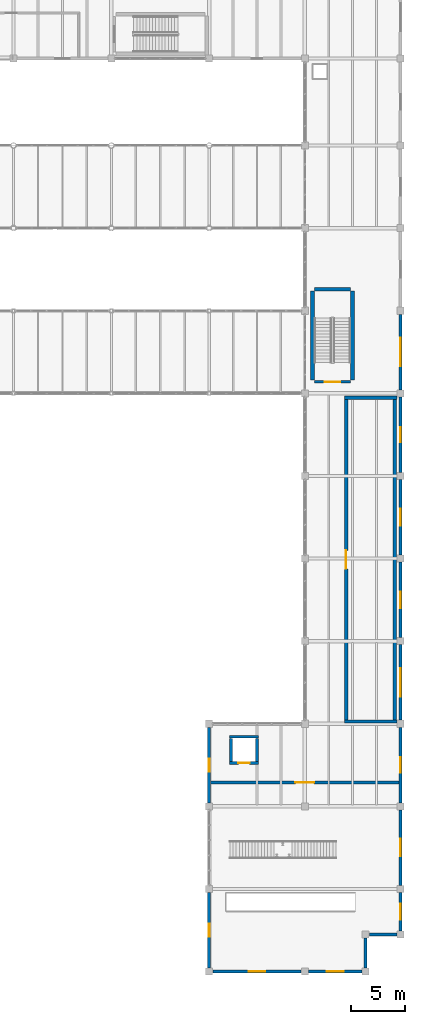
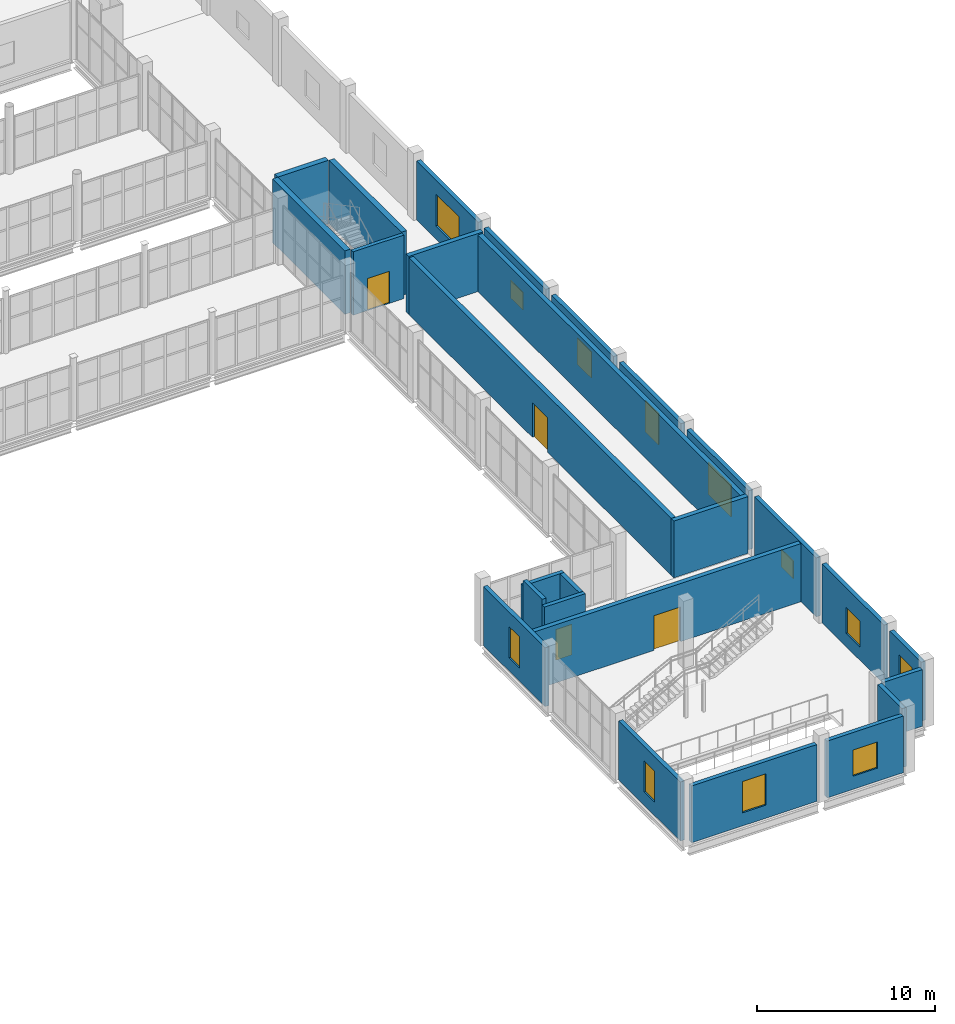
# One storey, part 156 of 172: 27 walls, 12 windows, 4 doors, 16 openings.
"""IFC4 building model written with IfcOpenShell, lengths in metres."""

from ifc_helpers import new_model, si_unit, direction, frame, frame_2d, origin, place, context, subcontext, project, spatial, rectangle, extrude, material, layer, layer_set, type_object, element, fill, save


model = new_model("IFC4")

# Units and contexts
model_context = context("Model", 3, precision=1e-05, world=origin(), true_north=direction((0.0, 1.0)))
body_context = subcontext(model_context, "Body", "Model", "MODEL_VIEW")
ifc_project = project(units=[si_unit("LENGTHUNIT", "METRE"), si_unit("AREAUNIT", "SQUARE_METRE"), si_unit("VOLUMEUNIT", "CUBIC_METRE"), si_unit("PLANEANGLEUNIT", "RADIAN"), si_unit("MASSUNIT", "GRAM", prefix="KILO")], contexts=[model_context])

# Site, building, storey
site_placement = place(None, origin())
site = spatial("IfcSite", under=ifc_project, at=site_placement, CompositionType="ELEMENT")
building_placement = place(site_placement, origin())
building = spatial("IfcBuilding", under=site, at=building_placement, Name="Shengluoqiao Park Theatre", CompositionType="ELEMENT")
storey_placement = place(building_placement, frame((0.0, 0.0, 5.39990234375)))
storey = spatial("IfcBuildingStorey", under=building, at=storey_placement, Name="L01", CompositionType="ELEMENT", Elevation=5.39990234375)

# Wall, opening, window
ifc_material_1 = material(Name="Concrete C40", Category="concrete")
ifc_layer_1 = layer(ifc_material_1, 0.27001953125, Name="Concrete C40")
ifc_layer_set_1 = layer_set([ifc_layer_1], Name="Concrete C40")
wall_type_1 = type_object("IfcWallType", Name="ENV-WL-CONC270", PredefinedType="STANDARD", material=ifc_layer_set_1)
wall_1_placement = place(storey_placement, frame((166.0, 3.72900390625, 0.0), z_axis=(0.0, 0.0, 1.0), x_axis=(0.0, 1.0, 0.0)))
wall_1 = element("IfcWall", 1, at=wall_1_placement, inside=storey, type_object=wall_type_1, Name="L01 Exterior Wall 0196", PredefinedType="STANDARD", context=body_context, shape_type="SweptSolid", body=[
    extrude(rectangle(XDim=3.5419921875, YDim=0.27001953125, at=frame_2d((1.77099609375, 0.0))), origin(), (0.0, 0.0, 1.0), 4.044189453125),
])
opening_1_placement = place(wall_1_placement, frame((1.02099609375, 0.0, 0.89990234375)))
opening_1 = element("IfcOpeningElement", 2, at=opening_1_placement, cuts=wall_1, Name="Opening W-03", PredefinedType="OPENING", context=body_context, shape_type="SweptSolid", body=[
    extrude(rectangle(XDim=1.5, YDim=2.14990234375, at=frame_2d((0.75, 1.074951171875))), frame((0.0, 0.14501953125, 0.0), z_axis=(0.0, -1.0, 0.0), x_axis=(1.0, 0.0, 0.0)), (0.0, 0.0, 1.0), 0.2900390625),
])
ifc_material_2 = material(Name="Insulated glass", Category="glass")
window_type_1 = type_object("IfcWindowType", Name="ENV-WIN-W03", PartitioningType="DOUBLE_PANEL_VERTICAL", PredefinedType="WINDOW", material=ifc_material_2)
window_1_placement = place(opening_1_placement, origin())
window_1 = element("IfcWindow", 3, at=window_1_placement, inside=storey, type_object=window_type_1, Name="L01 Acoustic Window 0042", OverallHeight=2.14990234375, OverallWidth=1.5, PartitioningType="DOUBLE_PANEL_VERTICAL", PredefinedType="WINDOW", context=body_context, shape_type="SweptSolid", body=[
    extrude(rectangle(XDim=1.5, YDim=2.14990234375, at=frame_2d((0.75, 1.074951171875))), frame((0.0, 0.030029296875, 0.0), z_axis=(0.0, -1.0, 0.0), x_axis=(1.0, 0.0, 0.0)), (0.0, 0.0, 1.0), 0.06005859375),
])
fill(opening_1, window_1)

wall_2_placement = place(storey_placement, frame((166.0, 7.928955078125, 0.0), z_axis=(0.0, 0.0, 1.0), x_axis=(0.0, 1.0, 0.0)))
wall_2 = element("IfcWall", 4, at=wall_2_placement, inside=storey, type_object=wall_type_1, Name="L01 Exterior Wall 0197", PredefinedType="STANDARD", context=body_context, shape_type="SweptSolid", body=[
    extrude(rectangle(XDim=6.942138671875, YDim=0.27001953125, at=frame_2d((3.47119140625, 0.0))), origin(), (0.0, 0.0, 1.0), 4.044189453125),
])
opening_2_placement = place(wall_2_placement, frame((2.6708984375, 0.0, 0.89990234375)))
opening_2 = element("IfcOpeningElement", 5, at=opening_2_placement, cuts=wall_2, Name="Opening W-06", PredefinedType="OPENING", context=body_context, shape_type="SweptSolid", body=[
    extrude(rectangle(XDim=1.60009765625, YDim=1.800048828125, at=frame_2d((0.800048828125, 0.89990234375))), frame((0.0, 0.14501953125, 0.0), z_axis=(0.0, -1.0, 0.0), x_axis=(1.0, 0.0, 0.0)), (0.0, 0.0, 1.0), 0.2900390625),
])
window_type_2 = type_object("IfcWindowType", Name="ENV-WIN-W06", PartitioningType="DOUBLE_PANEL_VERTICAL", PredefinedType="WINDOW", material=ifc_material_2)
window_2_placement = place(opening_2_placement, origin())
window_2 = element("IfcWindow", 6, at=window_2_placement, inside=storey, type_object=window_type_2, Name="L01 Acoustic Window 0043", OverallHeight=1.800048828125, OverallWidth=1.60009765625, PartitioningType="DOUBLE_PANEL_VERTICAL", PredefinedType="WINDOW", context=body_context, shape_type="SweptSolid", body=[
    extrude(rectangle(XDim=1.60009765625, YDim=1.800048828125, at=frame_2d((0.800048828125, 0.89990234375))), frame((0.0, 0.030029296875, 0.0), z_axis=(0.0, -1.0, 0.0), x_axis=(1.0, 0.0, 0.0)), (0.0, 0.0, 1.0), 0.06005859375),
])
fill(opening_2, window_2)

wall_3_placement = place(storey_placement, frame((166.0, 15.529052734375, 0.0), z_axis=(0.0, 0.0, 1.0), x_axis=(0.0, 1.0, 0.0)))
wall_3 = element("IfcWall", 7, at=wall_3_placement, inside=storey, type_object=wall_type_1, Name="L01 Exterior Wall 0198", PredefinedType="STANDARD", context=body_context, shape_type="SweptSolid", body=[
    extrude(rectangle(XDim=6.94189453125, YDim=0.27001953125, at=frame_2d((3.470947265625, 0.0))), origin(), (0.0, 0.0, 1.0), 4.044189453125),
])
opening_3_placement = place(wall_3_placement, frame((2.77099609375, 0.0, 0.89990234375)))
opening_3 = element("IfcOpeningElement", 8, at=opening_3_placement, cuts=wall_3, Name="Opening W-12", PredefinedType="OPENING", context=body_context, shape_type="SweptSolid", body=[
    extrude(rectangle(XDim=1.39990234375, YDim=1.199951171875, at=frame_2d((0.699951171875, 0.60009765625))), frame((0.0, 0.14501953125, 0.0), z_axis=(0.0, -1.0, 0.0), x_axis=(1.0, 0.0, 0.0)), (0.0, 0.0, 1.0), 0.2900390625),
])
window_type_3 = type_object("IfcWindowType", Name="ENV-WIN-W12", PartitioningType="SINGLE_PANEL", PredefinedType="WINDOW", material=ifc_material_2)
window_3_placement = place(opening_3_placement, origin())
window_3 = element("IfcWindow", 9, at=window_3_placement, inside=storey, type_object=window_type_3, Name="L01 Acoustic Window 0044", OverallHeight=1.199951171875, OverallWidth=1.39990234375, PartitioningType="SINGLE_PANEL", PredefinedType="WINDOW", context=body_context, shape_type="SweptSolid", body=[
    extrude(rectangle(XDim=1.39990234375, YDim=1.199951171875, at=frame_2d((0.699951171875, 0.60009765625))), frame((0.0, 0.030029296875, 0.0), z_axis=(0.0, -1.0, 0.0), x_axis=(1.0, 0.0, 0.0)), (0.0, 0.0, 1.0), 0.06005859375),
])
fill(opening_3, window_3)

wall_4_placement = place(storey_placement, frame((166.0, 23.12890625, 0.0), z_axis=(0.0, 0.0, 1.0), x_axis=(0.0, 1.0, 0.0)))
wall_4 = element("IfcWall", 10, at=wall_4_placement, inside=storey, type_object=wall_type_1, Name="L01 Exterior Wall 0199", PredefinedType="STANDARD", context=body_context, shape_type="SweptSolid", body=[
    extrude(rectangle(XDim=6.942138671875, YDim=0.27001953125, at=frame_2d((3.47119140625, 0.0))), origin(), (0.0, 0.0, 1.0), 4.044189453125),
])
opening_4_placement = place(wall_4_placement, frame((2.1708984375, 0.0, 0.89990234375)))
opening_4 = element("IfcOpeningElement", 11, at=opening_4_placement, cuts=wall_4, Name="Opening W-14", PredefinedType="OPENING", context=body_context, shape_type="SweptSolid", body=[
    extrude(rectangle(XDim=2.60009765625, YDim=2.199951171875, at=frame_2d((1.300048828125, 1.10009765625))), frame((0.0, 0.14501953125, 0.0), z_axis=(0.0, -1.0, 0.0), x_axis=(1.0, 0.0, 0.0)), (0.0, 0.0, 1.0), 0.2900390625),
])
window_type_4 = type_object("IfcWindowType", Name="ENV-WIN-W14", PartitioningType="DOUBLE_PANEL_VERTICAL", PredefinedType="WINDOW", material=ifc_material_2)
window_4_placement = place(opening_4_placement, origin())
window_4 = element("IfcWindow", 12, at=window_4_placement, inside=storey, type_object=window_type_4, Name="L01 Acoustic Window 0045", OverallHeight=2.199951171875, OverallWidth=2.60009765625, PartitioningType="DOUBLE_PANEL_VERTICAL", PredefinedType="WINDOW", context=body_context, shape_type="SweptSolid", body=[
    extrude(rectangle(XDim=2.60009765625, YDim=2.199951171875, at=frame_2d((1.300048828125, 1.10009765625))), frame((0.0, 0.030029296875, 0.0), z_axis=(0.0, -1.0, 0.0), x_axis=(1.0, 0.0, 0.0)), (0.0, 0.0, 1.0), 0.06005859375),
])
fill(opening_4, window_4)

wall_5_placement = place(storey_placement, frame((166.0, 30.72900390625, 0.0), z_axis=(0.0, 0.0, 1.0), x_axis=(0.0, 1.0, 0.0)))
wall_5 = element("IfcWall", 13, at=wall_5_placement, inside=storey, type_object=wall_type_1, Name="L01 Exterior Wall 0200", PredefinedType="STANDARD", context=body_context, shape_type="SweptSolid", body=[
    extrude(rectangle(XDim=6.94189453125, YDim=0.27001953125, at=frame_2d((3.470947265625, 0.0))), origin(), (0.0, 0.0, 1.0), 4.044189453125),
])
opening_5_placement = place(wall_5_placement, frame((2.720947265625, 0.0, 0.89990234375)))
opening_5 = element("IfcOpeningElement", 14, at=opening_5_placement, cuts=wall_5, Name="Opening W-03", PredefinedType="OPENING", context=body_context, shape_type="SweptSolid", body=[
    extrude(rectangle(XDim=1.5, YDim=2.14990234375, at=frame_2d((0.75, 1.074951171875))), frame((0.0, 0.14501953125, 0.0), z_axis=(0.0, -1.0, 0.0), x_axis=(1.0, 0.0, 0.0)), (0.0, 0.0, 1.0), 0.2900390625),
])
window_5_placement = place(opening_5_placement, origin())
window_5 = element("IfcWindow", 15, at=window_5_placement, inside=storey, type_object=window_type_1, Name="L01 Acoustic Window 0046", OverallHeight=2.14990234375, OverallWidth=1.5, PartitioningType="DOUBLE_PANEL_VERTICAL", PredefinedType="WINDOW", context=body_context, shape_type="SweptSolid", body=[
    extrude(rectangle(XDim=1.5, YDim=2.14990234375, at=frame_2d((0.75, 1.074951171875))), frame((0.0, 0.030029296875, 0.0), z_axis=(0.0, -1.0, 0.0), x_axis=(1.0, 0.0, 0.0)), (0.0, 0.0, 1.0), 0.06005859375),
])
fill(opening_5, window_5)

wall_6_placement = place(storey_placement, frame((166.0, 38.3291015625, 0.0), z_axis=(0.0, 0.0, 1.0), x_axis=(0.0, 1.0, 0.0)))
wall_6 = element("IfcWall", 16, at=wall_6_placement, inside=storey, type_object=wall_type_1, Name="L01 Exterior Wall 0201", PredefinedType="STANDARD", context=body_context, shape_type="SweptSolid", body=[
    extrude(rectangle(XDim=6.94189453125, YDim=0.27001953125, at=frame_2d((3.470947265625, 0.0))), origin(), (0.0, 0.0, 1.0), 4.044189453125),
])
opening_6_placement = place(wall_6_placement, frame((2.6708984375, 0.0, 0.89990234375)))
opening_6 = element("IfcOpeningElement", 17, at=opening_6_placement, cuts=wall_6, Name="Opening W-06", PredefinedType="OPENING", context=body_context, shape_type="SweptSolid", body=[
    extrude(rectangle(XDim=1.60009765625, YDim=1.800048828125, at=frame_2d((0.800048828125, 0.89990234375))), frame((0.0, 0.14501953125, 0.0), z_axis=(0.0, -1.0, 0.0), x_axis=(1.0, 0.0, 0.0)), (0.0, 0.0, 1.0), 0.2900390625),
])
window_6_placement = place(opening_6_placement, origin())
window_6 = element("IfcWindow", 18, at=window_6_placement, inside=storey, type_object=window_type_2, Name="L01 Acoustic Window 0047", OverallHeight=1.800048828125, OverallWidth=1.60009765625, PartitioningType="DOUBLE_PANEL_VERTICAL", PredefinedType="WINDOW", context=body_context, shape_type="SweptSolid", body=[
    extrude(rectangle(XDim=1.60009765625, YDim=1.800048828125, at=frame_2d((0.800048828125, 0.89990234375))), frame((0.0, 0.030029296875, 0.0), z_axis=(0.0, -1.0, 0.0), x_axis=(1.0, 0.0, 0.0)), (0.0, 0.0, 1.0), 0.06005859375),
])
fill(opening_6, window_6)

wall_7_placement = place(storey_placement, frame((166.0, 45.928955078125, 0.0), z_axis=(0.0, 0.0, 1.0), x_axis=(0.0, 1.0, 0.0)))
wall_7 = element("IfcWall", 19, at=wall_7_placement, inside=storey, type_object=wall_type_1, Name="L01 Exterior Wall 0202", PredefinedType="STANDARD", context=body_context, shape_type="SweptSolid", body=[
    extrude(rectangle(XDim=6.942138671875, YDim=0.27001953125, at=frame_2d((3.47119140625, 0.0))), origin(), (0.0, 0.0, 1.0), 4.044189453125),
])
opening_7_placement = place(wall_7_placement, frame((2.77099609375, 0.0, 0.89990234375)))
opening_7 = element("IfcOpeningElement", 20, at=opening_7_placement, cuts=wall_7, Name="Opening W-12", PredefinedType="OPENING", context=body_context, shape_type="SweptSolid", body=[
    extrude(rectangle(XDim=1.39990234375, YDim=1.199951171875, at=frame_2d((0.699951171875, 0.60009765625))), frame((0.0, 0.14501953125, 0.0), z_axis=(0.0, -1.0, 0.0), x_axis=(1.0, 0.0, 0.0)), (0.0, 0.0, 1.0), 0.2900390625),
])
window_7_placement = place(opening_7_placement, origin())
window_7 = element("IfcWindow", 21, at=window_7_placement, inside=storey, type_object=window_type_3, Name="L01 Acoustic Window 0048", OverallHeight=1.199951171875, OverallWidth=1.39990234375, PartitioningType="SINGLE_PANEL", PredefinedType="WINDOW", context=body_context, shape_type="SweptSolid", body=[
    extrude(rectangle(XDim=1.39990234375, YDim=1.199951171875, at=frame_2d((0.699951171875, 0.60009765625))), frame((0.0, 0.030029296875, 0.0), z_axis=(0.0, -1.0, 0.0), x_axis=(1.0, 0.0, 0.0)), (0.0, 0.0, 1.0), 0.06005859375),
])
fill(opening_7, window_7)

wall_8_placement = place(storey_placement, frame((166.0, 53.529052734375, 0.0), z_axis=(0.0, 0.0, 1.0), x_axis=(0.0, 1.0, 0.0)))
wall_8 = element("IfcWall", 22, at=wall_8_placement, inside=storey, type_object=wall_type_1, Name="L01 Exterior Wall 0203", PredefinedType="STANDARD", context=body_context, shape_type="SweptSolid", body=[
    extrude(rectangle(XDim=6.94189453125, YDim=0.27001953125, at=frame_2d((3.470947265625, 0.0))), origin(), (0.0, 0.0, 1.0), 4.044189453125),
])
opening_8_placement = place(wall_8_placement, frame((2.1708984375, 0.0, 0.89990234375)))
opening_8 = element("IfcOpeningElement", 23, at=opening_8_placement, cuts=wall_8, Name="Opening W-14", PredefinedType="OPENING", context=body_context, shape_type="SweptSolid", body=[
    extrude(rectangle(XDim=2.60009765625, YDim=2.199951171875, at=frame_2d((1.300048828125, 1.10009765625))), frame((0.0, 0.14501953125, 0.0), z_axis=(0.0, -1.0, 0.0), x_axis=(1.0, 0.0, 0.0)), (0.0, 0.0, 1.0), 0.2900390625),
])
window_8_placement = place(opening_8_placement, origin())
window_8 = element("IfcWindow", 24, at=window_8_placement, inside=storey, type_object=window_type_4, Name="L01 Acoustic Window 0049", OverallHeight=2.199951171875, OverallWidth=2.60009765625, PartitioningType="DOUBLE_PANEL_VERTICAL", PredefinedType="WINDOW", context=body_context, shape_type="SweptSolid", body=[
    extrude(rectangle(XDim=2.60009765625, YDim=2.199951171875, at=frame_2d((1.300048828125, 1.10009765625))), frame((0.0, 0.030029296875, 0.0), z_axis=(0.0, -1.0, 0.0), x_axis=(1.0, 0.0, 0.0)), (0.0, 0.0, 1.0), 0.06005859375),
])
fill(opening_8, window_8)

wall_9_placement = place(storey_placement, frame((148.72900390625, 0.0, 0.0), z_axis=(0.0, 0.0, 1.0), x_axis=(1.0, 0.0, 0.0)))
wall_9 = element("IfcWall", 25, at=wall_9_placement, inside=storey, type_object=wall_type_1, Name="L01 Exterior Wall 0281", PredefinedType="STANDARD", context=body_context, shape_type="SweptSolid", body=[
    extrude(rectangle(XDim=8.14208984375, YDim=0.27001953125, at=frame_2d((4.071044921875, 0.0))), origin(), (0.0, 0.0, 1.0), 3.898193359375),
])
opening_9_placement = place(wall_9_placement, frame((3.321044921875, 0.0, 0.89990234375)))
opening_9 = element("IfcOpeningElement", 26, at=opening_9_placement, cuts=wall_9, Name="Opening W-03", PredefinedType="OPENING", context=body_context, shape_type="SweptSolid", body=[
    extrude(rectangle(XDim=1.5, YDim=2.14990234375, at=frame_2d((0.75, 1.074951171875))), frame((0.0, 0.14501953125, 0.0), z_axis=(0.0, -1.0, 0.0), x_axis=(1.0, 0.0, 0.0)), (0.0, 0.0, 1.0), 0.2900390625),
])
window_9_placement = place(opening_9_placement, origin())
window_9 = element("IfcWindow", 27, at=window_9_placement, inside=storey, type_object=window_type_1, Name="L01 Acoustic Window 0117", OverallHeight=2.14990234375, OverallWidth=1.5, PartitioningType="DOUBLE_PANEL_VERTICAL", PredefinedType="WINDOW", context=body_context, shape_type="SweptSolid", body=[
    extrude(rectangle(XDim=1.5, YDim=2.14990234375, at=frame_2d((0.75, 1.074951171875))), frame((0.0, 0.030029296875, 0.0), z_axis=(0.0, -1.0, 0.0), x_axis=(1.0, 0.0, 0.0)), (0.0, 0.0, 1.0), 0.06005859375),
])
fill(opening_9, window_9)

wall_10_placement = place(storey_placement, frame((157.529052734375, 0.0, 0.0), z_axis=(0.0, 0.0, 1.0), x_axis=(1.0, 0.0, 0.0)))
wall_10 = element("IfcWall", 28, at=wall_10_placement, inside=storey, type_object=wall_type_1, Name="L01 Exterior Wall 0282", PredefinedType="STANDARD", context=body_context, shape_type="SweptSolid", body=[
    extrude(rectangle(XDim=4.94189453125, YDim=0.27001953125, at=frame_2d((2.470947265625, 0.0))), origin(), (0.0, 0.0, 1.0), 3.898193359375),
])
opening_10_placement = place(wall_10_placement, frame((1.6708984375, 0.0, 0.89990234375)))
opening_10 = element("IfcOpeningElement", 29, at=opening_10_placement, cuts=wall_10, Name="Opening W-06", PredefinedType="OPENING", context=body_context, shape_type="SweptSolid", body=[
    extrude(rectangle(XDim=1.60009765625, YDim=1.800048828125, at=frame_2d((0.800048828125, 0.89990234375))), frame((0.0, 0.14501953125, 0.0), z_axis=(0.0, -1.0, 0.0), x_axis=(1.0, 0.0, 0.0)), (0.0, 0.0, 1.0), 0.2900390625),
])
window_10_placement = place(opening_10_placement, origin())
window_10 = element("IfcWindow", 30, at=window_10_placement, inside=storey, type_object=window_type_2, Name="L01 Acoustic Window 0118", OverallHeight=1.800048828125, OverallWidth=1.60009765625, PartitioningType="DOUBLE_PANEL_VERTICAL", PredefinedType="WINDOW", context=body_context, shape_type="SweptSolid", body=[
    extrude(rectangle(XDim=1.60009765625, YDim=1.800048828125, at=frame_2d((0.800048828125, 0.89990234375))), frame((0.0, 0.030029296875, 0.0), z_axis=(0.0, -1.0, 0.0), x_axis=(1.0, 0.0, 0.0)), (0.0, 0.0, 1.0), 0.06005859375),
])
fill(opening_10, window_10)

# Walls
wall_11_placement = place(storey_placement, frame((162.800048828125, 0.3291015625, 0.0), z_axis=(0.0, 0.0, 1.0), x_axis=(0.0, 1.0, 0.0)))
element("IfcWall", 31, at=wall_11_placement, inside=storey, type_object=wall_type_1, Name="L01 Exterior Wall 0283", PredefinedType="STANDARD", context=body_context, shape_type="SweptSolid", body=[
    extrude(rectangle(XDim=2.741943359375, YDim=0.27001953125, at=frame_2d((1.37109375, 0.0))), origin(), (0.0, 0.0, 1.0), 4.044189453125),
])
wall_12_placement = place(storey_placement, frame((163.12890625, 3.39990234375, 0.0), z_axis=(0.0, 0.0, 1.0), x_axis=(1.0, 0.0, 0.0)))
element("IfcWall", 32, at=wall_12_placement, inside=storey, type_object=wall_type_1, Name="L01 Exterior Wall 0284", PredefinedType="STANDARD", context=body_context, shape_type="SweptSolid", body=[
    extrude(rectangle(XDim=2.5419921875, YDim=0.27001953125, at=frame_2d((1.27099609375, 0.0))), origin(), (0.0, 0.0, 1.0), 3.898193359375),
])

# Wall, opening, window
wall_13_placement = place(storey_placement, frame((148.39990234375, 0.3291015625, 0.0), z_axis=(0.0, 0.0, 1.0), x_axis=(0.0, 1.0, 0.0)))
wall_13 = element("IfcWall", 33, at=wall_13_placement, inside=storey, type_object=wall_type_1, Name="L01 Exterior Wall 0285", PredefinedType="STANDARD", context=body_context, shape_type="SweptSolid", body=[
    extrude(rectangle(XDim=6.94189453125, YDim=0.27001953125, at=frame_2d((3.470947265625, 0.0))), origin(), (0.0, 0.0, 1.0), 4.044189453125),
])
opening_11_placement = place(wall_13_placement, frame((2.87109375, 0.0, 0.89990234375)))
opening_11 = element("IfcOpeningElement", 34, at=opening_11_placement, cuts=wall_13, Name="Opening W-04", PredefinedType="OPENING", context=body_context, shape_type="SweptSolid", body=[
    extrude(rectangle(XDim=1.199951171875, YDim=2.14990234375, at=frame_2d((0.60009765625, 1.074951171875))), frame((0.0, 0.14501953125, 0.0), z_axis=(0.0, -1.0, 0.0), x_axis=(1.0, 0.0, 0.0)), (0.0, 0.0, 1.0), 0.2900390625),
])
window_type_5 = type_object("IfcWindowType", Name="ENV-WIN-W04", PartitioningType="SINGLE_PANEL", PredefinedType="WINDOW", material=ifc_material_2)
window_11_placement = place(opening_11_placement, origin())
window_11 = element("IfcWindow", 35, at=window_11_placement, inside=storey, type_object=window_type_5, Name="L01 Acoustic Window 0119", OverallHeight=2.14990234375, OverallWidth=1.199951171875, PartitioningType="SINGLE_PANEL", PredefinedType="WINDOW", context=body_context, shape_type="SweptSolid", body=[
    extrude(rectangle(XDim=1.199951171875, YDim=2.14990234375, at=frame_2d((0.60009765625, 1.074951171875))), frame((0.0, 0.030029296875, 0.0), z_axis=(0.0, -1.0, 0.0), x_axis=(1.0, 0.0, 0.0)), (0.0, 0.0, 1.0), 0.06005859375),
])
fill(opening_11, window_11)

wall_14_placement = place(storey_placement, frame((148.39990234375, 15.529052734375, 0.0), z_axis=(0.0, 0.0, 1.0), x_axis=(0.0, 1.0, 0.0)))
wall_14 = element("IfcWall", 36, at=wall_14_placement, inside=storey, type_object=wall_type_1, Name="L01 Exterior Wall 0286", PredefinedType="STANDARD", context=body_context, shape_type="SweptSolid", body=[
    extrude(rectangle(XDim=6.94189453125, YDim=0.27001953125, at=frame_2d((3.470947265625, 0.0))), origin(), (0.0, 0.0, 1.0), 4.044189453125),
])
opening_12_placement = place(wall_14_placement, frame((2.87109375, 0.0, 0.89990234375)))
opening_12 = element("IfcOpeningElement", 37, at=opening_12_placement, cuts=wall_14, Name="Opening W-04", PredefinedType="OPENING", context=body_context, shape_type="SweptSolid", body=[
    extrude(rectangle(XDim=1.199951171875, YDim=2.14990234375, at=frame_2d((0.60009765625, 1.074951171875))), frame((0.0, 0.14501953125, 0.0), z_axis=(0.0, -1.0, 0.0), x_axis=(1.0, 0.0, 0.0)), (0.0, 0.0, 1.0), 0.2900390625),
])
window_12_placement = place(opening_12_placement, origin())
window_12 = element("IfcWindow", 38, at=window_12_placement, inside=storey, type_object=window_type_5, Name="L01 Acoustic Window 0120", OverallHeight=2.14990234375, OverallWidth=1.199951171875, PartitioningType="SINGLE_PANEL", PredefinedType="WINDOW", context=body_context, shape_type="SweptSolid", body=[
    extrude(rectangle(XDim=1.199951171875, YDim=2.14990234375, at=frame_2d((0.60009765625, 1.074951171875))), frame((0.0, 0.030029296875, 0.0), z_axis=(0.0, -1.0, 0.0), x_axis=(1.0, 0.0, 0.0)), (0.0, 0.0, 1.0), 0.06005859375),
])
fill(opening_12, window_12)

# Wall, opening, door
ifc_material_3 = material(Name="Gypsum acoustic stud", Category="gypsum")
ifc_layer_2 = layer(ifc_material_3, 0.300048828125, Name="Gypsum acoustic stud")
ifc_layer_set_2 = layer_set([ifc_layer_2], Name="Gypsum acoustic stud")
wall_type_2 = type_object("IfcWallType", Name="INT-WL-ACO300", PredefinedType="PARTITIONING", material=ifc_layer_set_2)
wall_15_placement = place(storey_placement, frame((148.54296875, 17.39990234375, 0.0), z_axis=(0.0, 0.0, 1.0), x_axis=(1.0, 0.0, 0.0)))
wall_15 = element("IfcWall", 39, at=wall_15_placement, inside=storey, type_object=wall_type_2, Name="Chamber Music Warm-Up Suite Partition N", PredefinedType="PARTITIONING", context=body_context, shape_type="SweptSolid", body=[
    extrude(rectangle(XDim=17.31396484375, YDim=0.300048828125, at=frame_2d((8.656982421875, 0.0))), origin(), (0.0, 0.0, 1.0), 3.988037109375),
])
opening_13_placement = place(wall_15_placement, frame((7.797119140625, 0.0, 0.0)))
opening_13 = element("IfcOpeningElement", 40, at=opening_13_placement, cuts=wall_15, Name="Opening D-L01-052", PredefinedType="OPENING", context=body_context, shape_type="SweptSolid", body=[
    extrude(rectangle(XDim=1.719970703125, YDim=2.3798828125, at=frame_2d((0.85986328125, 1.18994140625))), frame((0.0, 0.159912109375, 0.0), z_axis=(0.0, -1.0, 0.0), x_axis=(1.0, 0.0, 0.0)), (0.0, 0.0, 1.0), 0.320068359375),
])
ifc_material_4 = material(Name="Acoustic timber", Category="wood")
door_type_1 = type_object("IfcDoorType", Name="INT-DR-REH172", OperationType="DOUBLE_DOOR_SINGLE_SWING", PredefinedType="DOOR", material=ifc_material_4)
door_1_placement = place(opening_13_placement, origin())
door_1 = element("IfcDoor", 41, at=door_1_placement, inside=storey, type_object=door_type_1, Name="Chamber Music Warm-Up Suite Door D-L01-052", OperationType="DOUBLE_DOOR_SINGLE_SWING", OverallHeight=2.3798828125, OverallWidth=1.719970703125, PredefinedType="DOOR", context=body_context, shape_type="SweptSolid", body=[
    extrude(rectangle(XDim=1.719970703125, YDim=2.3798828125, at=frame_2d((0.85986328125, 1.18994140625))), frame((0.0, 0.02490234375, 0.0), z_axis=(0.0, -1.0, 0.0), x_axis=(1.0, 0.0, 0.0)), (0.0, 0.0, 1.0), 0.050048828125),
])
fill(opening_13, door_1)

# Walls
wall_16_placement = place(storey_placement, frame((160.85009765625, 23.0, 0.0), z_axis=(0.0, 0.0, 1.0), x_axis=(1.0, 0.0, 0.0)))
element("IfcWall", 42, at=wall_16_placement, inside=storey, type_object=wall_type_2, Name="East Artist Rehearsal Link Gallery Partition S", PredefinedType="PARTITIONING", context=body_context, shape_type="SweptSolid", body=[
    extrude(rectangle(XDim=4.81689453125, YDim=0.300048828125, at=frame_2d((2.408447265625, 0.0))), origin(), (0.0, 0.0, 1.0), 3.898193359375),
])
wall_17_placement = place(storey_placement, frame((160.85009765625, 52.800048828125, 0.0), z_axis=(0.0, 0.0, 1.0), x_axis=(1.0, 0.0, 0.0)))
element("IfcWall", 43, at=wall_17_placement, inside=storey, type_object=wall_type_2, Name="East Artist Rehearsal Link Gallery Partition N", PredefinedType="PARTITIONING", context=body_context, shape_type="SweptSolid", body=[
    extrude(rectangle(XDim=4.81689453125, YDim=0.300048828125, at=frame_2d((2.408447265625, 0.0))), origin(), (0.0, 0.0, 1.0), 3.988037109375),
])

# Wall, opening, door
wall_18_placement = place(storey_placement, frame((161.0, 23.156005859375, 0.0), z_axis=(0.0, 0.0, 1.0), x_axis=(0.0, 1.0, 0.0)))
wall_18 = element("IfcWall", 44, at=wall_18_placement, inside=storey, type_object=wall_type_2, Name="East Artist Rehearsal Link Gallery Partition W", PredefinedType="PARTITIONING", context=body_context, shape_type="SweptSolid", body=[
    extrude(rectangle(XDim=29.488037109375, YDim=0.300048828125, at=frame_2d((14.744140625, 0.0))), origin(), (0.0, 0.0, 1.0), 3.898193359375),
])
opening_14_placement = place(wall_18_placement, frame((13.884033203125, 0.0, 0.0)))
opening_14 = element("IfcOpeningElement", 45, at=opening_14_placement, cuts=wall_18, Name="Opening D-L01-053", PredefinedType="OPENING", context=body_context, shape_type="SweptSolid", body=[
    extrude(rectangle(XDim=1.719970703125, YDim=2.3798828125, at=frame_2d((0.85986328125, 1.18994140625))), frame((0.0, 0.159912109375, 0.0), z_axis=(0.0, -1.0, 0.0), x_axis=(1.0, 0.0, 0.0)), (0.0, 0.0, 1.0), 0.320068359375),
])
door_2_placement = place(opening_14_placement, origin())
door_2 = element("IfcDoor", 46, at=door_2_placement, inside=storey, type_object=door_type_1, Name="East Artist Rehearsal Link Gallery Door D-L01-053", OperationType="DOUBLE_DOOR_SINGLE_SWING", OverallHeight=2.3798828125, OverallWidth=1.719970703125, PredefinedType="DOOR", context=body_context, shape_type="SweptSolid", body=[
    extrude(rectangle(XDim=1.719970703125, YDim=2.3798828125, at=frame_2d((0.85986328125, 1.18994140625))), frame((0.0, 0.02490234375, 0.0), z_axis=(0.0, -1.0, 0.0), x_axis=(1.0, 0.0, 0.0)), (0.0, 0.0, 1.0), 0.050048828125),
])
fill(opening_14, door_2)

# Wall
wall_19_placement = place(storey_placement, frame((165.47998046875, 23.156005859375, 0.0), z_axis=(0.0, 0.0, 1.0), x_axis=(0.0, 1.0, 0.0)))
element("IfcWall", 47, at=wall_19_placement, inside=storey, type_object=wall_type_2, Name="East Artist Rehearsal Link Gallery Partition E", PredefinedType="PARTITIONING", context=body_context, shape_type="SweptSolid", body=[
    extrude(rectangle(XDim=29.488037109375, YDim=0.300048828125, at=frame_2d((14.744140625, 0.0))), origin(), (0.0, 0.0, 1.0), 3.898193359375),
])

# Wall, opening, door
ifc_layer_3 = layer(ifc_material_1, 0.260009765625, Name="Concrete C40")
ifc_layer_set_3 = layer_set([ifc_layer_3], Name="Concrete C40")
wall_type_3 = type_object("IfcWallType", Name="INT-WL-SHF260", PredefinedType="STANDARD", material=ifc_layer_set_3)
wall_20_placement = place(storey_placement, frame((150.27001953125, 19.199951171875, 0.0), z_axis=(0.0, 0.0, 1.0), x_axis=(1.0, 0.0, 0.0)))
wall_20 = element("IfcWall", 48, at=wall_20_placement, inside=storey, type_object=wall_type_3, Name="L01 SL2 Lift Shaft Wall South", PredefinedType="STANDARD", context=body_context, shape_type="SweptSolid", body=[
    extrude(rectangle(XDim=2.659912109375, YDim=0.260009765625, at=frame_2d((1.330078125, 0.0))), origin(), (0.0, 0.0, 1.0), 3.988037109375),
])
opening_15_placement = place(wall_20_placement, frame((0.820068359375, 0.0, 0.0)))
opening_15 = element("IfcOpeningElement", 49, at=opening_15_placement, cuts=wall_20, Name="Opening LD-SL2-L01", PredefinedType="OPENING", context=body_context, shape_type="SweptSolid", body=[
    extrude(rectangle(XDim=1.02001953125, YDim=2.10009765625, at=frame_2d((0.510009765625, 1.050048828125))), frame((0.0, 0.139892578125, 0.0), z_axis=(0.0, -1.0, 0.0), x_axis=(1.0, 0.0, 0.0)), (0.0, 0.0, 1.0), 0.280029296875),
])
ifc_material_5 = material(Name="Stainless steel 304", Category="steel")
door_type_2 = type_object("IfcDoorType", Name="INT-DR-LD102", OperationType="SLIDING_TO_LEFT", PredefinedType="DOOR", material=ifc_material_5)
door_3_placement = place(opening_15_placement, origin())
door_3 = element("IfcDoor", 50, at=door_3_placement, inside=storey, type_object=door_type_2, Name="SL2 Lift Landing Door LD-SL2-L01", OperationType="SLIDING_TO_RIGHT", OverallHeight=2.10009765625, OverallWidth=1.02001953125, PredefinedType="DOOR", context=body_context, shape_type="SweptSolid", body=[
    extrude(rectangle(XDim=1.02001953125, YDim=2.10009765625, at=frame_2d((0.510009765625, 1.050048828125))), frame((0.0, 0.02490234375, 0.0), z_axis=(0.0, -1.0, 0.0), x_axis=(1.0, 0.0, 0.0)), (0.0, 0.0, 1.0), 0.050048828125),
])
fill(opening_15, door_3)

# Walls
wall_21_placement = place(storey_placement, frame((150.27001953125, 21.60009765625, 0.0), z_axis=(0.0, 0.0, 1.0), x_axis=(1.0, 0.0, 0.0)))
element("IfcWall", 51, at=wall_21_placement, inside=storey, type_object=wall_type_3, Name="L01 SL2 Lift Shaft Wall North", PredefinedType="STANDARD", context=body_context, shape_type="SweptSolid", body=[
    extrude(rectangle(XDim=2.659912109375, YDim=0.260009765625, at=frame_2d((1.330078125, 0.0))), origin(), (0.0, 0.0, 1.0), 3.988037109375),
])
wall_22_placement = place(storey_placement, frame((150.39990234375, 19.3359375, 0.0), z_axis=(0.0, 0.0, 1.0), x_axis=(0.0, 1.0, 0.0)))
element("IfcWall", 52, at=wall_22_placement, inside=storey, type_object=wall_type_3, Name="L01 SL2 Lift Shaft Wall West", PredefinedType="STANDARD", context=body_context, shape_type="SweptSolid", body=[
    extrude(rectangle(XDim=2.128173828125, YDim=0.260009765625, at=frame_2d((1.06396484375, 0.0))), origin(), (0.0, 0.0, 1.0), 4.360107421875),
])
wall_23_placement = place(storey_placement, frame((152.800048828125, 19.3359375, 0.0), z_axis=(0.0, 0.0, 1.0), x_axis=(0.0, 1.0, 0.0)))
element("IfcWall", 53, at=wall_23_placement, inside=storey, type_object=wall_type_3, Name="L01 SL2 Lift Shaft Wall East", PredefinedType="STANDARD", context=body_context, shape_type="SweptSolid", body=[
    extrude(rectangle(XDim=2.128173828125, YDim=0.260009765625, at=frame_2d((1.06396484375, 0.0))), origin(), (0.0, 0.0, 1.0), 3.988037109375),
])

# Wall, opening, door
ifc_layer_4 = layer(ifc_material_1, 0.239990234375, Name="Concrete C40")
ifc_layer_set_4 = layer_set([ifc_layer_4], Name="Concrete C40")
wall_type_4 = type_object("IfcWallType", Name="INT-WL-STW240", PredefinedType="STANDARD", material=ifc_layer_set_4)
wall_24_placement = place(storey_placement, frame((161.389892578125, 54.260009765625, 0.0), z_axis=(0.0, 0.0, 1.0), x_axis=(-1.0, 0.0, 0.0)))
wall_24 = element("IfcWall", 54, at=wall_24_placement, inside=storey, type_object=wall_type_4, Name="L01 ST-12 Stairwell Fire Wall", PredefinedType="STANDARD", context=body_context, shape_type="SweptSolid", body=[
    extrude(rectangle(XDim=3.27978515625, YDim=0.239990234375, at=frame_2d((1.639892578125, 0.0))), origin(), (0.0, 0.0, 1.0), 4.360107421875),
])
opening_16_placement = place(wall_24_placement, frame((0.9150390625, 0.0, 0.0)))
opening_16 = element("IfcOpeningElement", 55, at=opening_16_placement, cuts=wall_24, Name="Opening SD-12-L01", PredefinedType="OPENING", context=body_context, shape_type="SweptSolid", body=[
    extrude(rectangle(XDim=1.449951171875, YDim=2.199951171875, at=frame_2d((0.72509765625, 1.10009765625))), frame((0.0, 0.1298828125, 0.0), z_axis=(0.0, -1.0, 0.0), x_axis=(1.0, 0.0, 0.0)), (0.0, 0.0, 1.0), 0.260009765625),
])
ifc_material_6 = material(Name="Steel Q355", Category="steel")
door_type_3 = type_object("IfcDoorType", Name="INT-DR-STW145", OperationType="DOUBLE_DOOR_SINGLE_SWING", PredefinedType="DOOR", material=ifc_material_6)
door_4_placement = place(opening_16_placement, origin())
door_4 = element("IfcDoor", 56, at=door_4_placement, inside=storey, type_object=door_type_3, Name="L01 ST-12 Escape Stair Door SD-12-L01", OperationType="DOUBLE_DOOR_SINGLE_SWING", OverallHeight=2.199951171875, OverallWidth=1.449951171875, PredefinedType="DOOR", context=body_context, shape_type="SweptSolid", body=[
    extrude(rectangle(XDim=1.449951171875, YDim=2.199951171875, at=frame_2d((0.72509765625, 1.10009765625))), frame((0.0, 0.02490234375, 0.0), z_axis=(0.0, -1.0, 0.0), x_axis=(1.0, 0.0, 0.0)), (0.0, 0.0, 1.0), 0.050048828125),
])
fill(opening_16, door_4)

# Walls
ifc_material_7 = material(Name="Concrete C50", Category="concrete")
ifc_layer_5 = layer(ifc_material_7, 0.35009765625, Name="Concrete C50")
ifc_layer_set_5 = layer_set([ifc_layer_5], Name="Concrete C50")
wall_type_5 = type_object("IfcWallType", Name="STR-SW-CORE350", PredefinedType="SHEAR", material=ifc_layer_set_5)
wall_25_placement = place(storey_placement, frame((161.580078125, 54.449951171875, 0.0), z_axis=(0.0, 0.0, 1.0), x_axis=(0.0, 1.0, 0.0)))
element("IfcWall", 57, at=wall_25_placement, inside=storey, type_object=wall_type_5, Name="L01 ST-12 Core Left Shear Wall 0163", PredefinedType="SHEAR", context=body_context, shape_type="SweptSolid", body=[
    extrude(rectangle(XDim=8.150146484375, YDim=0.35009765625, at=frame_2d((4.0751953125, 0.0))), origin(), (0.0, 0.0, 1.0), 4.360107421875),
])
wall_26_placement = place(storey_placement, frame((161.39990234375, 62.780029296875, 0.0), z_axis=(0.0, 0.0, 1.0), x_axis=(-1.0, 0.0, 0.0)))
element("IfcWall", 58, at=wall_26_placement, inside=storey, type_object=wall_type_5, Name="L01 ST-12 Core Far Shear Wall 0164", PredefinedType="SHEAR", context=body_context, shape_type="SweptSolid", body=[
    extrude(rectangle(XDim=3.2998046875, YDim=0.35009765625, at=frame_2d((1.64990234375, 0.0))), origin(), (0.0, 0.0, 1.0), 4.360107421875),
])
wall_27_placement = place(storey_placement, frame((157.919921875, 62.60009765625, 0.0), z_axis=(0.0, 0.0, 1.0), x_axis=(0.0, -1.0, 0.0)))
element("IfcWall", 59, at=wall_27_placement, inside=storey, type_object=wall_type_5, Name="L01 ST-12 Core Right Shear Wall 0165", PredefinedType="SHEAR", context=body_context, shape_type="SweptSolid", body=[
    extrude(rectangle(XDim=8.150146484375, YDim=0.35009765625, at=frame_2d((4.0751953125, 0.0))), origin(), (0.0, 0.0, 1.0), 4.360107421875),
])

save(model, "model.ifc")
